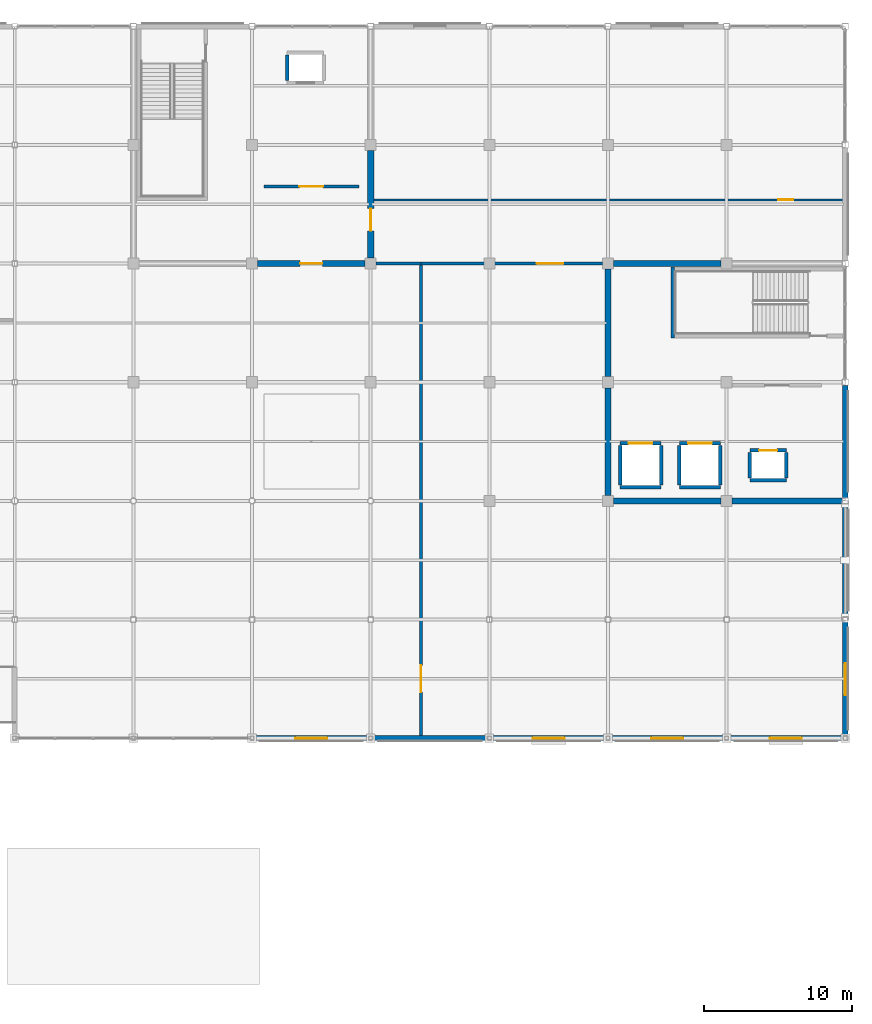
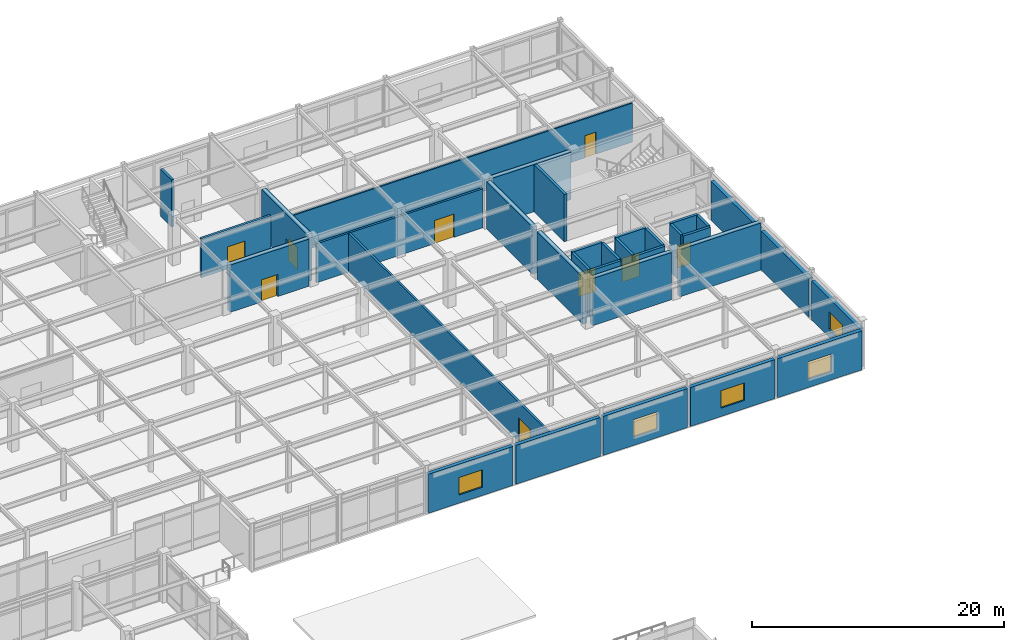
# One storey, part 96 of 117: 34 walls, 9 doors, 5 windows, 14 openings.
"""IFC4 building model written with IfcOpenShell, lengths in metres."""

from ifc_helpers import new_model, si_unit, direction, frame, frame_2d, origin, place, context, subcontext, project, spatial, rectangle, extrude, material, layer, layer_set, type_object, element, fill, save


model = new_model("IFC4")

# Units and contexts
model_context = context("Model", 3, precision=1e-05, world=origin(), true_north=direction((0.0, 1.0)))
body_context = subcontext(model_context, "Body", "Model", "MODEL_VIEW")
ifc_project = project(units=[si_unit("LENGTHUNIT", "METRE"), si_unit("AREAUNIT", "SQUARE_METRE"), si_unit("VOLUMEUNIT", "CUBIC_METRE"), si_unit("PLANEANGLEUNIT", "RADIAN"), si_unit("MASSUNIT", "GRAM", prefix="KILO")], contexts=[model_context])

# Site, building, storey
site_placement = place(None, origin())
site = spatial("IfcSite", under=ifc_project, at=site_placement, CompositionType="ELEMENT")
building_placement = place(site_placement, origin())
building = spatial("IfcBuilding", under=site, at=building_placement, Name="Solmirada Galleria", CompositionType="ELEMENT")
storey_placement = place(building_placement, frame((0.0, 0.0, 5.60009765625)))
storey = spatial("IfcBuildingStorey", under=building, at=storey_placement, Name="L01", CompositionType="ELEMENT", Elevation=5.60009765625)

# Wall, opening, door
ifc_material_1 = material(Name="Concrete C40/50", Category="concrete")
ifc_layer_1 = layer(ifc_material_1, 0.419921875)
ifc_layer_set_1 = layer_set([ifc_layer_1], Name="Concrete C40/50")
wall_type_1 = type_object("IfcWallType", Name="WL-CORE-420", PredefinedType="SHEAR", material=ifc_layer_set_1)
wall_1_placement = place(storey_placement, frame((136.375, 104.0, 0.0), z_axis=(0.0, 0.0, 1.0), x_axis=(1.0, 0.0, 0.0)))
wall_1 = element("IfcWall", 1, at=wall_1_placement, inside=storey, type_object=wall_type_1, Name="Core C3 shear wall L01 S2", PredefinedType="SHEAR", context=body_context, shape_type="SweptSolid", body=[
    extrude(rectangle(XDim=7.25, YDim=0.419921875, at=frame_2d((3.625, 0.0))), origin(), (0.0, 0.0, 1.0), 4.579833984375),
])
opening_1_placement = place(wall_1_placement, frame((2.875, 0.0, 0.0)))
opening_1 = element("IfcOpeningElement", 2, at=opening_1_placement, cuts=wall_1, Name="Opening LDY-178", PredefinedType="OPENING", context=body_context, shape_type="SweptSolid", body=[
    extrude(rectangle(XDim=1.5, YDim=2.14990234375, at=frame_2d((0.75, 1.074951171875))), frame((0.0, 0.219970703125, 0.0), z_axis=(0.0, -1.0, 0.0), x_axis=(1.0, 0.0, 0.0)), (0.0, 0.0, 1.0), 0.43994140625),
])
ifc_material_2 = material(Name="Fire-rated painted steel door assembly", Category="steel")
door_type_1 = type_object("IfcDoorType", Name="DR-LOBBY-150X215", OperationType="DOUBLE_DOOR_SINGLE_SWING", PredefinedType="DOOR", material=ifc_material_2)
door_1_placement = place(opening_1_placement, origin())
door_1 = element("IfcDoor", 3, at=door_1_placement, inside=storey, type_object=door_type_1, Name="Core C3 lobby access fire door LDY-178", OperationType="DOUBLE_DOOR_SINGLE_SWING", OverallHeight=2.14990234375, OverallWidth=1.5, PredefinedType="DOOR", context=body_context, shape_type="SweptSolid", body=[
    extrude(rectangle(XDim=1.5, YDim=2.14990234375, at=frame_2d((0.75, 1.074951171875))), frame((0.0, 0.02490234375, 0.0), z_axis=(0.0, -1.0, 0.0), x_axis=(1.0, 0.0, 0.0)), (0.0, 0.0, 1.0), 0.050048828125),
])
fill(opening_1, door_1)

wall_2_placement = place(storey_placement, frame((144.0, 104.375, 0.0), z_axis=(0.0, 0.0, 1.0), x_axis=(0.0, 1.0, 0.0)))
wall_2 = element("IfcWall", 4, at=wall_2_placement, inside=storey, type_object=wall_type_1, Name="Core C3 shear wall L01 E1", PredefinedType="SHEAR", context=body_context, shape_type="SweptSolid", body=[
    extrude(rectangle(XDim=7.25, YDim=0.419921875, at=frame_2d((3.625, 0.0))), origin(), (0.0, 0.0, 1.0), 4.579833984375),
])
opening_2_placement = place(wall_2_placement, frame((1.837890625, 0.0, 0.0)))
opening_2 = element("IfcOpeningElement", 5, at=opening_2_placement, cuts=wall_2, Name="Opening LDY-179", PredefinedType="OPENING", context=body_context, shape_type="SweptSolid", body=[
    extrude(rectangle(XDim=1.5, YDim=2.14990234375, at=frame_2d((0.75, 1.074951171875))), frame((0.0, 0.219970703125, 0.0), z_axis=(0.0, -1.0, 0.0), x_axis=(1.0, 0.0, 0.0)), (0.0, 0.0, 1.0), 0.43994140625),
])
door_2_placement = place(opening_2_placement, origin())
door_2 = element("IfcDoor", 6, at=door_2_placement, inside=storey, type_object=door_type_1, Name="Core C3 lobby access fire door LDY-179", OperationType="DOUBLE_DOOR_SINGLE_SWING", OverallHeight=2.14990234375, OverallWidth=1.5, PredefinedType="DOOR", context=body_context, shape_type="SweptSolid", body=[
    extrude(rectangle(XDim=1.5, YDim=2.14990234375, at=frame_2d((0.75, 1.074951171875))), frame((0.0, 0.02490234375, 0.0), z_axis=(0.0, -1.0, 0.0), x_axis=(1.0, 0.0, 0.0)), (0.0, 0.0, 1.0), 0.050048828125),
])
fill(opening_2, door_2)

# Walls
wall_3_placement = place(storey_placement, frame((160.375, 88.0, 0.0), z_axis=(0.0, 0.0, 1.0), x_axis=(1.0, 0.0, 0.0)))
element("IfcWall", 7, at=wall_3_placement, inside=storey, type_object=wall_type_1, Name="Core C4 shear wall L01 S1", PredefinedType="SHEAR", context=body_context, shape_type="SweptSolid", body=[
    extrude(rectangle(XDim=7.25, YDim=0.419921875, at=frame_2d((3.625, 0.0))), origin(), (0.0, 0.0, 1.0), 4.579833984375),
])
wall_4_placement = place(storey_placement, frame((168.375, 88.0, 0.0), z_axis=(0.0, 0.0, 1.0), x_axis=(1.0, 0.0, 0.0)))
element("IfcWall", 8, at=wall_4_placement, inside=storey, type_object=wall_type_1, Name="Core C4 shear wall L01 S2", PredefinedType="SHEAR", context=body_context, shape_type="SweptSolid", body=[
    extrude(rectangle(XDim=7.422119140625, YDim=0.419921875, at=frame_2d((3.7109375, 0.0))), origin(), (0.0, 0.0, 1.0), 4.579833984375),
])
for number, where, z_axis, x_axis, name in (
    (9, (160.375, 104.0, 0.0), (0.0, 0.0, 1.0), (1.0, 0.0, 0.0), "Core C4 shear wall L01 N1"),
    (10, (160.0, 88.375, 0.0), (0.0, 0.0, 1.0), (0.0, 1.0, 0.0), "Core C4 shear wall L01 W1"),
    (11, (160.0, 96.375, 0.0), (0.0, 0.0, 1.0), (0.0, 1.0, 0.0), "Core C4 shear wall L01 W2"),
):
    element("IfcWall", number, at=place(storey_placement, frame(where, z_axis=z_axis, x_axis=x_axis)), inside=storey, type_object=wall_type_1, Name=name, PredefinedType="SHEAR", context=body_context, shape_type="SweptSolid", body=[
        extrude(rectangle(XDim=7.25, YDim=0.419921875, at=frame_2d((3.625, 0.0))), origin(), (0.0, 0.0, 1.0), 4.579833984375),
    ])
ifc_material_3 = material(Name="Precast concrete C40/50", Category="concrete")
ifc_layer_2 = layer(ifc_material_3, 0.340087890625)
ifc_layer_set_2 = layer_set([ifc_layer_2], Name="Precast concrete C40/50")
wall_type_2 = type_object("IfcWallType", Name="WL-EXT-340", PredefinedType="STANDARD", material=ifc_layer_set_2)
wall_5_placement = place(storey_placement, frame((176.0, 95.797119140625, 0.0), z_axis=(0.0, 0.0, 1.0), x_axis=(0.0, -1.0, 0.0)))
element("IfcWall", 12, at=wall_5_placement, inside=storey, type_object=wall_type_2, Name="Exterior wall L01 bay 042", PredefinedType="STANDARD", context=body_context, shape_type="SweptSolid", body=[
    extrude(rectangle(XDim=7.59423828125, YDim=0.340087890625, at=frame_2d((3.797119140625, 0.0))), origin(), (0.0, 0.0, 1.0), 3.77978515625),
])

# Wall, opening, window
wall_6_placement = place(storey_placement, frame((176.0, 79.822021484375, 0.0), z_axis=(0.0, 0.0, 1.0), x_axis=(0.0, -1.0, 0.0)))
wall_6 = element("IfcWall", 13, at=wall_6_placement, inside=storey, type_object=wall_type_2, Name="Exterior wall L01 bay 044", PredefinedType="STANDARD", context=body_context, shape_type="SweptSolid", body=[
    extrude(rectangle(XDim=7.66943359375, YDim=0.340087890625, at=frame_2d((3.834716796875, 0.0))), origin(), (0.0, 0.0, 1.0), 3.77978515625),
])
opening_3_placement = place(wall_6_placement, frame((2.760009765625, 0.0, 0.800048828125)))
opening_3 = element("IfcOpeningElement", 14, at=opening_3_placement, cuts=wall_6, Name="Opening WN11", PredefinedType="OPENING", context=body_context, shape_type="SweptSolid", body=[
    extrude(rectangle(XDim=2.14990234375, YDim=1.699951171875, at=frame_2d((1.074951171875, 0.85009765625))), frame((0.0, 0.179931640625, 0.0), z_axis=(0.0, -1.0, 0.0), x_axis=(1.0, 0.0, 0.0)), (0.0, 0.0, 1.0), 0.360107421875),
])
ifc_material_4 = material(Name="Impact-resistant low-E double glazing", Category="glass")
window_type = type_object("IfcWindowType", Name="WIN-OFF-215X170", PartitioningType="DOUBLE_PANEL_VERTICAL", PredefinedType="WINDOW", material=ifc_material_4)
window_1_placement = place(opening_3_placement, origin())
window_1 = element("IfcWindow", 15, at=window_1_placement, inside=storey, type_object=window_type, Name="Window L01-007", OverallHeight=1.699951171875, OverallWidth=2.14990234375, PartitioningType="DOUBLE_PANEL_VERTICAL", PredefinedType="WINDOW", context=body_context, shape_type="SweptSolid", body=[
    extrude(rectangle(XDim=2.14990234375, YDim=1.699951171875, at=frame_2d((1.074951171875, 0.85009765625))), frame((0.0, 0.030029296875, 0.0), z_axis=(0.0, -1.0, 0.0), x_axis=(1.0, 0.0, 0.0)), (0.0, 0.0, 1.0), 0.06005859375),
])
fill(opening_3, window_1)

wall_7_placement = place(storey_placement, frame((175.847412109375, 72.0, 0.0), z_axis=(0.0, 0.0, 1.0), x_axis=(-1.0, 0.0, 0.0)))
wall_7 = element("IfcWall", 16, at=wall_7_placement, inside=storey, type_object=wall_type_2, Name="Exterior wall L01 bay 045", PredefinedType="STANDARD", context=body_context, shape_type="SweptSolid", body=[
    extrude(rectangle(XDim=7.720458984375, YDim=0.340087890625, at=frame_2d((3.8603515625, 0.0))), origin(), (0.0, 0.0, 1.0), 3.77978515625),
])
opening_4_placement = place(wall_7_placement, frame((2.784912109375, 0.0, 0.800048828125)))
opening_4 = element("IfcOpeningElement", 17, at=opening_4_placement, cuts=wall_7, Name="Opening WN11", PredefinedType="OPENING", context=body_context, shape_type="SweptSolid", body=[
    extrude(rectangle(XDim=2.14990234375, YDim=1.699951171875, at=frame_2d((1.074951171875, 0.85009765625))), frame((0.0, 0.179931640625, 0.0), z_axis=(0.0, -1.0, 0.0), x_axis=(1.0, 0.0, 0.0)), (0.0, 0.0, 1.0), 0.360107421875),
])
window_2_placement = place(opening_4_placement, origin())
window_2 = element("IfcWindow", 18, at=window_2_placement, inside=storey, type_object=window_type, Name="Window L01-008", OverallHeight=1.699951171875, OverallWidth=2.14990234375, PartitioningType="DOUBLE_PANEL_VERTICAL", PredefinedType="WINDOW", context=body_context, shape_type="SweptSolid", body=[
    extrude(rectangle(XDim=2.14990234375, YDim=1.699951171875, at=frame_2d((1.074951171875, 0.85009765625))), frame((0.0, 0.030029296875, 0.0), z_axis=(0.0, -1.0, 0.0), x_axis=(1.0, 0.0, 0.0)), (0.0, 0.0, 1.0), 0.06005859375),
])
fill(opening_4, window_2)

wall_8_placement = place(storey_placement, frame((167.873046875, 72.0, 0.0), z_axis=(0.0, 0.0, 1.0), x_axis=(-1.0, 0.0, 0.0)))
wall_8 = element("IfcWall", 19, at=wall_8_placement, inside=storey, type_object=wall_type_2, Name="Exterior wall L01 bay 046", PredefinedType="STANDARD", context=body_context, shape_type="SweptSolid", body=[
    extrude(rectangle(XDim=7.74609375, YDim=0.340087890625, at=frame_2d((3.873046875, 0.0))), origin(), (0.0, 0.0, 1.0), 3.77978515625),
])
opening_5_placement = place(wall_8_placement, frame((2.798095703125, 0.0, 0.800048828125)))
opening_5 = element("IfcOpeningElement", 20, at=opening_5_placement, cuts=wall_8, Name="Opening WN11", PredefinedType="OPENING", context=body_context, shape_type="SweptSolid", body=[
    extrude(rectangle(XDim=2.14990234375, YDim=1.699951171875, at=frame_2d((1.074951171875, 0.85009765625))), frame((0.0, 0.179931640625, 0.0), z_axis=(0.0, -1.0, 0.0), x_axis=(1.0, 0.0, 0.0)), (0.0, 0.0, 1.0), 0.360107421875),
])
window_3_placement = place(opening_5_placement, origin())
window_3 = element("IfcWindow", 21, at=window_3_placement, inside=storey, type_object=window_type, Name="Window L01-009", OverallHeight=1.699951171875, OverallWidth=2.14990234375, PartitioningType="DOUBLE_PANEL_VERTICAL", PredefinedType="WINDOW", context=body_context, shape_type="SweptSolid", body=[
    extrude(rectangle(XDim=2.14990234375, YDim=1.699951171875, at=frame_2d((1.074951171875, 0.85009765625))), frame((0.0, 0.030029296875, 0.0), z_axis=(0.0, -1.0, 0.0), x_axis=(1.0, 0.0, 0.0)), (0.0, 0.0, 1.0), 0.06005859375),
])
fill(opening_5, window_3)

wall_9_placement = place(storey_placement, frame((159.873046875, 72.0, 0.0), z_axis=(0.0, 0.0, 1.0), x_axis=(-1.0, 0.0, 0.0)))
wall_9 = element("IfcWall", 22, at=wall_9_placement, inside=storey, type_object=wall_type_2, Name="Exterior wall L01 bay 047", PredefinedType="STANDARD", context=body_context, shape_type="SweptSolid", body=[
    extrude(rectangle(XDim=7.74609375, YDim=0.340087890625, at=frame_2d((3.873046875, 0.0))), origin(), (0.0, 0.0, 1.0), 3.77978515625),
])
opening_6_placement = place(wall_9_placement, frame((2.798095703125, 0.0, 0.800048828125)))
opening_6 = element("IfcOpeningElement", 23, at=opening_6_placement, cuts=wall_9, Name="Opening WN11", PredefinedType="OPENING", context=body_context, shape_type="SweptSolid", body=[
    extrude(rectangle(XDim=2.14990234375, YDim=1.699951171875, at=frame_2d((1.074951171875, 0.85009765625))), frame((0.0, 0.179931640625, 0.0), z_axis=(0.0, -1.0, 0.0), x_axis=(1.0, 0.0, 0.0)), (0.0, 0.0, 1.0), 0.360107421875),
])
window_4_placement = place(opening_6_placement, origin())
window_4 = element("IfcWindow", 24, at=window_4_placement, inside=storey, type_object=window_type, Name="Window L01-010", OverallHeight=1.699951171875, OverallWidth=2.14990234375, PartitioningType="DOUBLE_PANEL_VERTICAL", PredefinedType="WINDOW", context=body_context, shape_type="SweptSolid", body=[
    extrude(rectangle(XDim=2.14990234375, YDim=1.699951171875, at=frame_2d((1.074951171875, 0.85009765625))), frame((0.0, 0.030029296875, 0.0), z_axis=(0.0, -1.0, 0.0), x_axis=(1.0, 0.0, 0.0)), (0.0, 0.0, 1.0), 0.06005859375),
])
fill(opening_6, window_4)

# Wall
wall_10_placement = place(storey_placement, frame((151.873046875, 72.0, 0.0), z_axis=(0.0, 0.0, 1.0), x_axis=(-1.0, 0.0, 0.0)))
element("IfcWall", 25, at=wall_10_placement, inside=storey, type_object=wall_type_2, Name="Exterior wall L01 bay 048", PredefinedType="STANDARD", context=body_context, shape_type="SweptSolid", body=[
    extrude(rectangle(XDim=7.74609375, YDim=0.340087890625, at=frame_2d((3.873046875, 0.0))), origin(), (0.0, 0.0, 1.0), 3.77978515625),
])

# Wall, opening, window
wall_11_placement = place(storey_placement, frame((143.873046875, 72.0, 0.0), z_axis=(0.0, 0.0, 1.0), x_axis=(-1.0, 0.0, 0.0)))
wall_11 = element("IfcWall", 26, at=wall_11_placement, inside=storey, type_object=wall_type_2, Name="Exterior wall L01 bay 049", PredefinedType="STANDARD", context=body_context, shape_type="SweptSolid", body=[
    extrude(rectangle(XDim=7.74609375, YDim=0.340087890625, at=frame_2d((3.873046875, 0.0))), origin(), (0.0, 0.0, 1.0), 3.77978515625),
])
opening_7_placement = place(wall_11_placement, frame((2.798095703125, 0.0, 0.800048828125)))
opening_7 = element("IfcOpeningElement", 27, at=opening_7_placement, cuts=wall_11, Name="Opening WN11", PredefinedType="OPENING", context=body_context, shape_type="SweptSolid", body=[
    extrude(rectangle(XDim=2.14990234375, YDim=1.699951171875, at=frame_2d((1.074951171875, 0.85009765625))), frame((0.0, 0.179931640625, 0.0), z_axis=(0.0, -1.0, 0.0), x_axis=(1.0, 0.0, 0.0)), (0.0, 0.0, 1.0), 0.360107421875),
])
window_5_placement = place(opening_7_placement, origin())
window_5 = element("IfcWindow", 28, at=window_5_placement, inside=storey, type_object=window_type, Name="Window L01-011", OverallHeight=1.699951171875, OverallWidth=2.14990234375, PartitioningType="DOUBLE_PANEL_VERTICAL", PredefinedType="WINDOW", context=body_context, shape_type="SweptSolid", body=[
    extrude(rectangle(XDim=2.14990234375, YDim=1.699951171875, at=frame_2d((1.074951171875, 0.85009765625))), frame((0.0, 0.030029296875, 0.0), z_axis=(0.0, -1.0, 0.0), x_axis=(1.0, 0.0, 0.0)), (0.0, 0.0, 1.0), 0.06005859375),
])
fill(opening_7, window_5)

# Wall
ifc_layer_3 = layer(ifc_material_1, 0.239990234375)
ifc_layer_set_3 = layer_set([ifc_layer_3], Name="Concrete C40/50")
wall_type_3 = type_object("IfcWallType", Name="WL-HOIST-240", PredefinedType="PARTITIONING", material=ifc_layer_set_3)
wall_12_placement = place(storey_placement, frame((138.3701171875, 116.3349609375, 0.0), z_axis=(0.0, 0.0, 1.0), x_axis=(0.0, 1.0, 0.0)))
element("IfcWall", 29, at=wall_12_placement, inside=storey, type_object=wall_type_3, Name="Lift FL1 hoistway side wall L L01", PredefinedType="PARTITIONING", context=body_context, shape_type="SweptSolid", body=[
    extrude(rectangle(XDim=1.72998046875, YDim=0.239990234375, at=frame_2d((0.864990234375, 0.0))), origin(), (0.0, 0.0, 1.0), 4.579833984375),
])

# Wall, opening, door
wall_13_placement = place(storey_placement, frame((169.570068359375, 91.405029296875, 0.0), z_axis=(0.0, 0.0, 1.0), x_axis=(1.0, 0.0, 0.0)))
wall_13 = element("IfcWall", 30, at=wall_13_placement, inside=storey, type_object=wall_type_3, Name="Lift FL2 hoistway front wall L01", PredefinedType="PARTITIONING", context=body_context, shape_type="SweptSolid", body=[
    extrude(rectangle(XDim=2.4599609375, YDim=0.239990234375, at=frame_2d((1.22998046875, 0.0))), origin(), (0.0, 0.0, 1.0), 4.579833984375),
])
opening_8_placement = place(wall_13_placement, frame((0.6298828125, 0.0, 0.0)))
opening_8 = element("IfcOpeningElement", 31, at=opening_8_placement, cuts=wall_13, Name="Opening LD-FL2-L01", PredefinedType="OPENING", context=body_context, shape_type="SweptSolid", body=[
    extrude(rectangle(XDim=1.199951171875, YDim=2.14990234375, at=frame_2d((0.60009765625, 1.074951171875))), frame((0.0, 0.1298828125, 0.0), z_axis=(0.0, -1.0, 0.0), x_axis=(1.0, 0.0, 0.0)), (0.0, 0.0, 1.0), 0.260009765625),
])
ifc_material_5 = material(Name="Brushed stainless-steel sliding landing door", Category="steel")
door_type_2 = type_object("IfcDoorType", Name="DR-LIFT-120X215", OperationType="SLIDING_TO_LEFT", PredefinedType="DOOR", material=ifc_material_5)
door_3_placement = place(opening_8_placement, origin())
door_3 = element("IfcDoor", 32, at=door_3_placement, inside=storey, type_object=door_type_2, Name="Lift FL2 sliding landing door L01", OperationType="SLIDING_TO_LEFT", OverallHeight=2.14990234375, OverallWidth=1.199951171875, PredefinedType="DOOR", context=body_context, shape_type="SweptSolid", body=[
    extrude(rectangle(XDim=1.199951171875, YDim=2.14990234375, at=frame_2d((0.60009765625, 1.074951171875))), frame((0.0, 0.02490234375, 0.0), z_axis=(0.0, -1.0, 0.0), x_axis=(1.0, 0.0, 0.0)), (0.0, 0.0, 1.0), 0.050048828125),
])
fill(opening_8, door_3)

# Walls
wall_14_placement = place(storey_placement, frame((169.570068359375, 89.39501953125, 0.0), z_axis=(0.0, 0.0, 1.0), x_axis=(1.0, 0.0, 0.0)))
element("IfcWall", 33, at=wall_14_placement, inside=storey, type_object=wall_type_3, Name="Lift FL2 hoistway rear wall L01", PredefinedType="PARTITIONING", context=body_context, shape_type="SweptSolid", body=[
    extrude(rectangle(XDim=2.4599609375, YDim=0.239990234375, at=frame_2d((1.22998046875, 0.0))), origin(), (0.0, 0.0, 1.0), 4.579833984375),
])
for number, where, z_axis, x_axis, name in (
    (34, (169.570068359375, 89.534912109375, 0.0), (0.0, 0.0, 1.0), (0.0, 1.0, 0.0), "Lift FL2 hoistway side wall L L01"),
    (35, (172.030029296875, 89.534912109375, 0.0), (0.0, 0.0, 1.0), (0.0, 1.0, 0.0), "Lift FL2 hoistway side wall R L01"),
):
    element("IfcWall", number, at=place(storey_placement, frame(where, z_axis=z_axis, x_axis=x_axis)), inside=storey, type_object=wall_type_3, Name=name, PredefinedType="PARTITIONING", context=body_context, shape_type="SweptSolid", body=[
        extrude(rectangle(XDim=1.72998046875, YDim=0.239990234375, at=frame_2d((0.864990234375, 0.0))), origin(), (0.0, 0.0, 1.0), 4.579833984375),
    ])

# Wall, opening, door
wall_15_placement = place(storey_placement, frame((164.820068359375, 91.8798828125, 0.0), z_axis=(0.0, 0.0, 1.0), x_axis=(1.0, 0.0, 0.0)))
wall_15 = element("IfcWall", 36, at=wall_15_placement, inside=storey, type_object=wall_type_3, Name="Lift GF1 hoistway front wall L01", PredefinedType="PARTITIONING", context=body_context, shape_type="SweptSolid", body=[
    extrude(rectangle(XDim=2.760009765625, YDim=0.239990234375, at=frame_2d((1.3798828125, 0.0))), origin(), (0.0, 0.0, 1.0), 4.579833984375),
])
opening_9_placement = place(wall_15_placement, frame((0.580078125, 0.0, 0.0)))
opening_9 = element("IfcOpeningElement", 37, at=opening_9_placement, cuts=wall_15, Name="Opening LD-GF1-L01", PredefinedType="OPENING", context=body_context, shape_type="SweptSolid", body=[
    extrude(rectangle(XDim=1.60009765625, YDim=2.300048828125, at=frame_2d((0.800048828125, 1.14990234375))), frame((0.0, 0.1298828125, 0.0), z_axis=(0.0, -1.0, 0.0), x_axis=(1.0, 0.0, 0.0)), (0.0, 0.0, 1.0), 0.260009765625),
])
door_type_3 = type_object("IfcDoorType", Name="DR-LIFT-160X230", OperationType="SLIDING_TO_LEFT", PredefinedType="DOOR", material=ifc_material_5)
door_4_placement = place(opening_9_placement, origin())
door_4 = element("IfcDoor", 38, at=door_4_placement, inside=storey, type_object=door_type_3, Name="Lift GF1 sliding landing door L01", OperationType="SLIDING_TO_LEFT", OverallHeight=2.300048828125, OverallWidth=1.60009765625, PredefinedType="DOOR", context=body_context, shape_type="SweptSolid", body=[
    extrude(rectangle(XDim=1.60009765625, YDim=2.300048828125, at=frame_2d((0.800048828125, 1.14990234375))), frame((0.0, 0.02490234375, 0.0), z_axis=(0.0, -1.0, 0.0), x_axis=(1.0, 0.0, 0.0)), (0.0, 0.0, 1.0), 0.050048828125),
])
fill(opening_9, door_4)

# Walls
wall_16_placement = place(storey_placement, frame((164.820068359375, 88.919921875, 0.0), z_axis=(0.0, 0.0, 1.0), x_axis=(1.0, 0.0, 0.0)))
element("IfcWall", 39, at=wall_16_placement, inside=storey, type_object=wall_type_3, Name="Lift GF1 hoistway rear wall L01", PredefinedType="PARTITIONING", context=body_context, shape_type="SweptSolid", body=[
    extrude(rectangle(XDim=2.760009765625, YDim=0.239990234375, at=frame_2d((1.3798828125, 0.0))), origin(), (0.0, 0.0, 1.0), 4.579833984375),
])
for number, where, z_axis, x_axis, name in (
    (40, (164.820068359375, 89.06005859375, 0.0), (0.0, 0.0, 1.0), (0.0, 1.0, 0.0), "Lift GF1 hoistway side wall L L01"),
    (41, (167.580078125, 89.06005859375, 0.0), (0.0, 0.0, 1.0), (0.0, 1.0, 0.0), "Lift GF1 hoistway side wall R L01"),
):
    element("IfcWall", number, at=place(storey_placement, frame(where, z_axis=z_axis, x_axis=x_axis)), inside=storey, type_object=wall_type_3, Name=name, PredefinedType="PARTITIONING", context=body_context, shape_type="SweptSolid", body=[
        extrude(rectangle(XDim=2.679931640625, YDim=0.239990234375, at=frame_2d((1.33984375, 0.0))), origin(), (0.0, 0.0, 1.0), 4.579833984375),
    ])

# Wall, opening, door
wall_17_placement = place(storey_placement, frame((160.820068359375, 91.8798828125, 0.0), z_axis=(0.0, 0.0, 1.0), x_axis=(1.0, 0.0, 0.0)))
wall_17 = element("IfcWall", 42, at=wall_17_placement, inside=storey, type_object=wall_type_3, Name="Lift GF2 hoistway front wall L01", PredefinedType="PARTITIONING", context=body_context, shape_type="SweptSolid", body=[
    extrude(rectangle(XDim=2.760009765625, YDim=0.239990234375, at=frame_2d((1.3798828125, 0.0))), origin(), (0.0, 0.0, 1.0), 4.579833984375),
])
opening_10_placement = place(wall_17_placement, frame((0.580078125, 0.0, 0.0)))
opening_10 = element("IfcOpeningElement", 43, at=opening_10_placement, cuts=wall_17, Name="Opening LD-GF2-L01", PredefinedType="OPENING", context=body_context, shape_type="SweptSolid", body=[
    extrude(rectangle(XDim=1.60009765625, YDim=2.300048828125, at=frame_2d((0.800048828125, 1.14990234375))), frame((0.0, 0.1298828125, 0.0), z_axis=(0.0, -1.0, 0.0), x_axis=(1.0, 0.0, 0.0)), (0.0, 0.0, 1.0), 0.260009765625),
])
door_5_placement = place(opening_10_placement, origin())
door_5 = element("IfcDoor", 44, at=door_5_placement, inside=storey, type_object=door_type_3, Name="Lift GF2 sliding landing door L01", OperationType="SLIDING_TO_LEFT", OverallHeight=2.300048828125, OverallWidth=1.60009765625, PredefinedType="DOOR", context=body_context, shape_type="SweptSolid", body=[
    extrude(rectangle(XDim=1.60009765625, YDim=2.300048828125, at=frame_2d((0.800048828125, 1.14990234375))), frame((0.0, 0.02490234375, 0.0), z_axis=(0.0, -1.0, 0.0), x_axis=(1.0, 0.0, 0.0)), (0.0, 0.0, 1.0), 0.050048828125),
])
fill(opening_10, door_5)

# Walls
wall_18_placement = place(storey_placement, frame((160.820068359375, 88.919921875, 0.0), z_axis=(0.0, 0.0, 1.0), x_axis=(1.0, 0.0, 0.0)))
element("IfcWall", 45, at=wall_18_placement, inside=storey, type_object=wall_type_3, Name="Lift GF2 hoistway rear wall L01", PredefinedType="PARTITIONING", context=body_context, shape_type="SweptSolid", body=[
    extrude(rectangle(XDim=2.760009765625, YDim=0.239990234375, at=frame_2d((1.3798828125, 0.0))), origin(), (0.0, 0.0, 1.0), 4.579833984375),
])
for number, where, z_axis, x_axis, name in (
    (46, (160.820068359375, 89.06005859375, 0.0), (0.0, 0.0, 1.0), (0.0, 1.0, 0.0), "Lift GF2 hoistway side wall L L01"),
    (47, (163.580078125, 89.06005859375, 0.0), (0.0, 0.0, 1.0), (0.0, 1.0, 0.0), "Lift GF2 hoistway side wall R L01"),
):
    element("IfcWall", number, at=place(storey_placement, frame(where, z_axis=z_axis, x_axis=x_axis)), inside=storey, type_object=wall_type_3, Name=name, PredefinedType="PARTITIONING", context=body_context, shape_type="SweptSolid", body=[
        extrude(rectangle(XDim=2.679931640625, YDim=0.239990234375, at=frame_2d((1.33984375, 0.0))), origin(), (0.0, 0.0, 1.0), 4.579833984375),
    ])

# Wall, opening, door
ifc_material_6 = material(Name="Acoustic gypsum board partition")
ifc_layer_4 = layer(ifc_material_6, 0.135009765625)
ifc_layer_set_4 = layer_set([ifc_layer_4], Name="Acoustic gypsum board partition")
wall_type_4 = type_object("IfcWallType", Name="WL-PART-135", PredefinedType="PARTITIONING", material=ifc_layer_set_4)
wall_19_placement = place(storey_placement, frame((144.0, 108.300048828125, 0.0), z_axis=(0.0, 0.0, 1.0), x_axis=(1.0, 0.0, 0.0)))
wall_19 = element("IfcWall", 48, at=wall_19_placement, inside=storey, type_object=wall_type_4, Name="Partition L01-064 (Atelier L01)", PredefinedType="PARTITIONING", context=body_context, shape_type="SweptSolid", body=[
    extrude(rectangle(XDim=31.85009765625, YDim=0.135009765625, at=frame_2d((15.925048828125, 0.0))), origin(), (0.0, 0.0, 1.0), 3.77978515625),
])
opening_11_placement = place(wall_19_placement, frame((27.485107421875, 0.0, 0.0)))
opening_11 = element("IfcOpeningElement", 49, at=opening_11_placement, cuts=wall_19, Name="Opening ID-303", PredefinedType="OPENING", context=body_context, shape_type="SweptSolid", body=[
    extrude(rectangle(XDim=1.0, YDim=2.14990234375, at=frame_2d((0.5, 1.074951171875))), frame((0.0, 0.077392578125, 0.0), z_axis=(0.0, -1.0, 0.0), x_axis=(1.0, 0.0, 0.0)), (0.0, 0.0, 1.0), 0.155029296875),
])
ifc_material_7 = material(Name="Architectural hardwood veneer door", Category="wood")
door_type_4 = type_object("IfcDoorType", Name="DR-ROOM-100X215", OperationType="NOTDEFINED", PredefinedType="DOOR", material=ifc_material_7)
door_6_placement = place(opening_11_placement, origin())
door_6 = element("IfcDoor", 50, at=door_6_placement, inside=storey, type_object=door_type_4, Name="Atelier L01 door ID-303", OperationType="SINGLE_SWING_LEFT", OverallHeight=2.14990234375, OverallWidth=1.0, PredefinedType="DOOR", context=body_context, shape_type="SweptSolid", body=[
    extrude(rectangle(XDim=1.0, YDim=2.14990234375, at=frame_2d((0.5, 1.074951171875))), frame((0.0, 0.02490234375, 0.0), z_axis=(0.0, -1.0, 0.0), x_axis=(1.0, 0.0, 0.0)), (0.0, 0.0, 1.0), 0.050048828125),
])
fill(opening_11, door_6)

# Wall
ifc_material_8 = material(Name="Fire-rated gypsum and steel-stud partition", Category="steel")
ifc_layer_5 = layer(ifc_material_8, 0.18994140625)
ifc_layer_set_5 = layer_set([ifc_layer_5], Name="Fire-rated gypsum and steel-stud partition")
wall_type_5 = type_object("IfcWallType", Name="WL-PART-190", PredefinedType="PARTITIONING", material=ifc_layer_set_5)
wall_20_placement = place(storey_placement, frame((144.375, 104.0, 0.0), z_axis=(0.0, 0.0, 1.0), x_axis=(1.0, 0.0, 0.0)))
element("IfcWall", 51, at=wall_20_placement, inside=storey, type_object=wall_type_5, Name="Partition L01-061 (NE Corridor South W L01)", PredefinedType="PARTITIONING", context=body_context, shape_type="SweptSolid", body=[
    extrude(rectangle(XDim=3.02490234375, YDim=0.18994140625, at=frame_2d((1.512451171875, 0.0))), origin(), (0.0, 0.0, 1.0), 3.77978515625),
])

# Wall, opening, door
wall_21_placement = place(storey_placement, frame((147.39990234375, 104.0, 0.0), z_axis=(0.0, 0.0, 1.0), x_axis=(1.0, 0.0, 0.0)))
wall_21 = element("IfcWall", 52, at=wall_21_placement, inside=storey, type_object=wall_type_5, Name="Partition L01-062 (NE Corridor South E L01)", PredefinedType="PARTITIONING", context=body_context, shape_type="SweptSolid", body=[
    extrude(rectangle(XDim=12.22509765625, YDim=0.18994140625, at=frame_2d((6.112548828125, 0.0))), origin(), (0.0, 0.0, 1.0), 3.77978515625),
])
opening_12_placement = place(wall_21_placement, frame((7.787109375, 0.0, 0.0)))
opening_12 = element("IfcOpeningElement", 53, at=opening_12_placement, cuts=wall_21, Name="Opening ID-301", PredefinedType="OPENING", context=body_context, shape_type="SweptSolid", body=[
    extrude(rectangle(XDim=1.800048828125, YDim=2.25, at=frame_2d((0.89990234375, 1.125))), frame((0.0, 0.10498046875, 0.0), z_axis=(0.0, -1.0, 0.0), x_axis=(1.0, 0.0, 0.0)), (0.0, 0.0, 1.0), 0.2099609375),
])
door_type_5 = type_object("IfcDoorType", Name="DR-STOCK-180X225", OperationType="DOUBLE_DOOR_SINGLE_SWING", PredefinedType="DOOR", material=ifc_material_2)
door_7_placement = place(opening_12_placement, origin())
door_7 = element("IfcDoor", 54, at=door_7_placement, inside=storey, type_object=door_type_5, Name="NE Corridor South E L01 door ID-301", OperationType="DOUBLE_DOOR_SINGLE_SWING", OverallHeight=2.25, OverallWidth=1.800048828125, PredefinedType="DOOR", context=body_context, shape_type="SweptSolid", body=[
    extrude(rectangle(XDim=1.800048828125, YDim=2.25, at=frame_2d((0.89990234375, 1.125))), frame((0.0, 0.02490234375, 0.0), z_axis=(0.0, -1.0, 0.0), x_axis=(1.0, 0.0, 0.0)), (0.0, 0.0, 1.0), 0.050048828125),
])
fill(opening_12, door_7)

wall_22_placement = place(storey_placement, frame((147.39990234375, 72.14990234375, 0.0), z_axis=(0.0, 0.0, 1.0), x_axis=(0.0, 1.0, 0.0)))
wall_22 = element("IfcWall", 55, at=wall_22_placement, inside=storey, type_object=wall_type_5, Name="Partition L01-063 (Stockroom L01)", PredefinedType="PARTITIONING", context=body_context, shape_type="SweptSolid", body=[
    extrude(rectangle(XDim=31.85009765625, YDim=0.18994140625, at=frame_2d((15.925048828125, 0.0))), origin(), (0.0, 0.0, 1.0), 3.77978515625),
])
opening_13_placement = place(wall_22_placement, frame((2.958984375, 0.0, 0.0)))
opening_13 = element("IfcOpeningElement", 56, at=opening_13_placement, cuts=wall_22, Name="Opening ID-302", PredefinedType="OPENING", context=body_context, shape_type="SweptSolid", body=[
    extrude(rectangle(XDim=1.800048828125, YDim=2.25, at=frame_2d((0.89990234375, 1.125))), frame((0.0, 0.10498046875, 0.0), z_axis=(0.0, -1.0, 0.0), x_axis=(1.0, 0.0, 0.0)), (0.0, 0.0, 1.0), 0.2099609375),
])
door_8_placement = place(opening_13_placement, origin())
door_8 = element("IfcDoor", 57, at=door_8_placement, inside=storey, type_object=door_type_5, Name="Stockroom L01 door ID-302", OperationType="DOUBLE_DOOR_SINGLE_SWING", OverallHeight=2.25, OverallWidth=1.800048828125, PredefinedType="DOOR", context=body_context, shape_type="SweptSolid", body=[
    extrude(rectangle(XDim=1.800048828125, YDim=2.25, at=frame_2d((0.89990234375, 1.125))), frame((0.0, 0.02490234375, 0.0), z_axis=(0.0, -1.0, 0.0), x_axis=(1.0, 0.0, 0.0)), (0.0, 0.0, 1.0), 0.050048828125),
])
fill(opening_13, door_8)

ifc_layer_6 = layer(ifc_material_8, 0.219970703125)
ifc_layer_set_6 = layer_set([ifc_layer_6], Name="Fire-rated gypsum and steel-stud partition")
wall_type_6 = type_object("IfcWallType", Name="WL-PART-220", PredefinedType="PARTITIONING", material=ifc_layer_set_6)
wall_23_placement = place(storey_placement, frame((136.800048828125, 109.199951171875, 0.0), z_axis=(0.0, 0.0, 1.0), x_axis=(1.0, 0.0, 0.0)))
wall_23 = element("IfcWall", 58, at=wall_23_placement, inside=storey, type_object=wall_type_6, Name="Firefighting lift lobby C3 smoke barrier L01", PredefinedType="PARTITIONING", context=body_context, shape_type="SweptSolid", body=[
    extrude(rectangle(XDim=6.39990234375, YDim=0.219970703125, at=frame_2d((3.199951171875, 0.0))), origin(), (0.0, 0.0, 1.0), 3.77978515625),
])
opening_14_placement = place(wall_23_placement, frame((2.39990234375, 0.0, 0.0)))
opening_14 = element("IfcOpeningElement", 59, at=opening_14_placement, cuts=wall_23, Name="Opening FD-180", PredefinedType="OPENING", context=body_context, shape_type="SweptSolid", body=[
    extrude(rectangle(XDim=1.60009765625, YDim=2.14990234375, at=frame_2d((0.800048828125, 1.074951171875))), frame((0.0, 0.119873046875, 0.0), z_axis=(0.0, -1.0, 0.0), x_axis=(1.0, 0.0, 0.0)), (0.0, 0.0, 1.0), 0.239990234375),
])
door_type_6 = type_object("IfcDoorType", Name="DR-FFLOB-160X215", OperationType="DOUBLE_DOOR_SINGLE_SWING", PredefinedType="DOOR", material=ifc_material_2)
door_9_placement = place(opening_14_placement, origin())
door_9 = element("IfcDoor", 60, at=door_9_placement, inside=storey, type_object=door_type_6, Name="Firefighting lift lobby internal door FD-180", OperationType="DOUBLE_DOOR_SINGLE_SWING", OverallHeight=2.14990234375, OverallWidth=1.60009765625, PredefinedType="DOOR", context=body_context, shape_type="SweptSolid", body=[
    extrude(rectangle(XDim=1.60009765625, YDim=2.14990234375, at=frame_2d((0.800048828125, 1.074951171875))), frame((0.0, 0.02490234375, 0.0), z_axis=(0.0, -1.0, 0.0), x_axis=(1.0, 0.0, 0.0)), (0.0, 0.0, 1.0), 0.050048828125),
])
fill(opening_14, door_9)

# Walls
ifc_layer_7 = layer(ifc_material_1, 0.260009765625)
ifc_layer_set_7 = layer_set([ifc_layer_7], Name="Concrete C40/50")
wall_type_7 = type_object("IfcWallType", Name="WL-SHAFT-260", PredefinedType="SHEAR", material=ifc_layer_set_7)
wall_24_placement = place(storey_placement, frame((164.3701171875, 98.989990234375, 0.0), z_axis=(0.0, 0.0, 1.0), x_axis=(0.0, 1.0, 0.0)))
element("IfcWall", 61, at=wall_24_placement, inside=storey, type_object=wall_type_7, Name="Stair ST4 enclosure wall L01 W", PredefinedType="SHEAR", context=body_context, shape_type="SweptSolid", body=[
    extrude(rectangle(XDim=4.77001953125, YDim=0.260009765625, at=frame_2d((2.385009765625, 0.0))), origin(), (0.0, 0.0, 1.0), 4.579833984375),
])
ifc_material_9 = material(Name="Architectural concrete masonry C30/37", Category="masonry")
ifc_layer_8 = layer(ifc_material_9, 0.360107421875)
ifc_layer_set_8 = layer_set([ifc_layer_8], Name="Architectural concrete masonry C30/37")
wall_type_8 = type_object("IfcWallType", Name="WL-SOLID-360", PredefinedType="SOLIDWALL", material=ifc_layer_set_8)
wall_25_placement = place(storey_placement, frame((176.0, 87.797119140625, 0.0), z_axis=(0.0, 0.0, 1.0), x_axis=(0.0, -1.0, 0.0)))
element("IfcWall", 62, at=wall_25_placement, inside=storey, type_object=wall_type_8, Name="Exterior wall L01 bay 043", PredefinedType="SOLIDWALL", context=body_context, shape_type="SweptSolid", body=[
    extrude(rectangle(XDim=7.619140625, YDim=0.360107421875, at=frame_2d((3.8095703125, 0.0))), origin(), (0.0, 0.0, 1.0), 3.77978515625),
])

save(model, "model.ifc")
